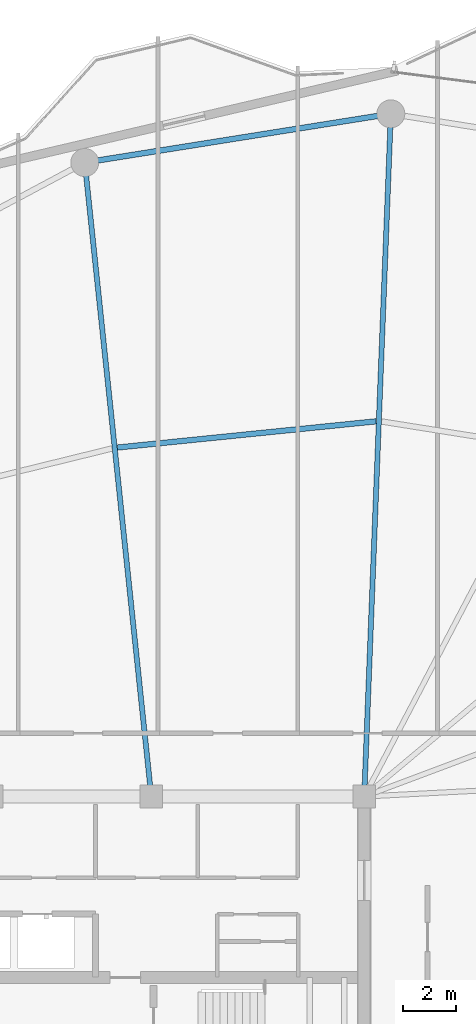
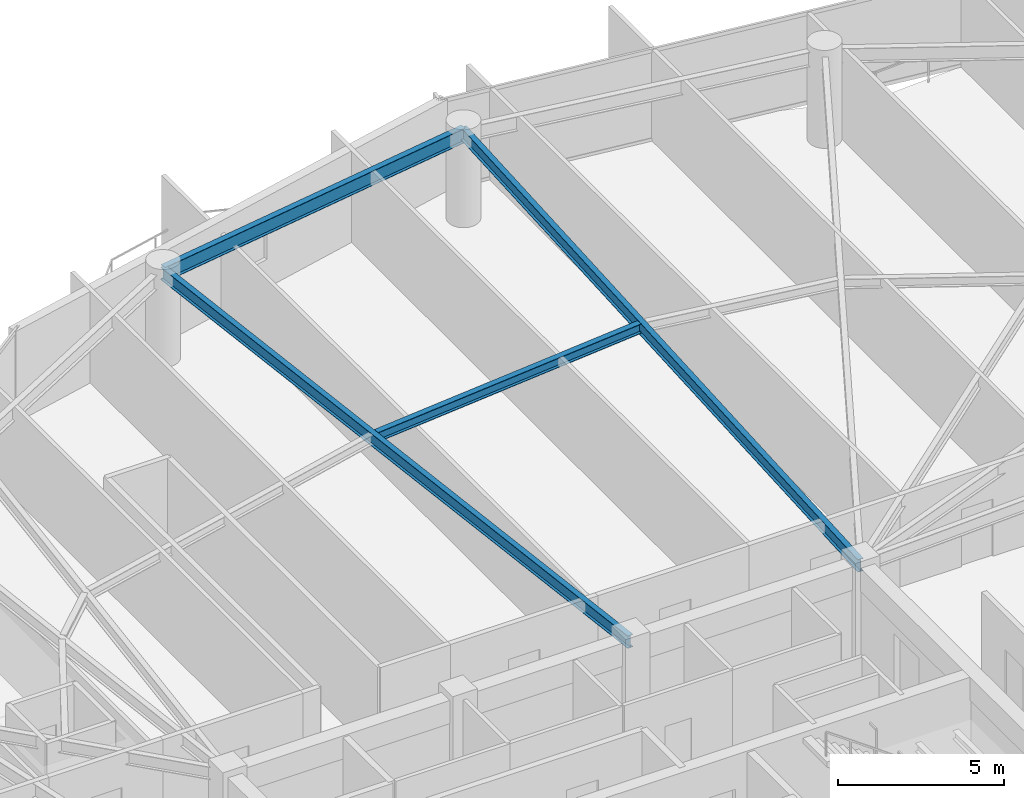
# One storey, part 19 of 31: 4 beams.
"""IFC4 building model written with IfcOpenShell, lengths in metres."""

from ifc_helpers import new_model, si_unit, direction, frame, origin, origin_2d, place, context, subcontext, project, spatial, i_section, extrude, material, material_profile, profile_set, type_object, element, save


model = new_model("IFC4")

# Units and contexts
model_context = context("Model", 3, precision=1e-05, world=origin(), true_north=direction((0.0, 1.0)))
body_context = subcontext(model_context, "Body", "Model", "MODEL_VIEW")
ifc_project = project(units=[si_unit("LENGTHUNIT", "METRE"), si_unit("AREAUNIT", "SQUARE_METRE"), si_unit("VOLUMEUNIT", "CUBIC_METRE"), si_unit("PLANEANGLEUNIT", "RADIAN"), si_unit("MASSUNIT", "GRAM", prefix="KILO")], contexts=[model_context])

# Site, building, storey
site_placement = place(None, origin())
site = spatial("IfcSite", under=ifc_project, at=site_placement, CompositionType="ELEMENT")
building_placement = place(site_placement, origin())
building = spatial("IfcBuilding", under=site, at=building_placement, Name="Kazevale Care Tower and Concert Hall", CompositionType="ELEMENT")
storey_placement = place(building_placement, frame((0.0, 0.0, 202.800048828125)))
storey = spatial("IfcBuildingStorey", under=building, at=storey_placement, Name="L53", CompositionType="ELEMENT", Elevation=202.800048828125)

# Beams
ifc_material = material(Name="Steel ASTM A572 Gr 50", Category="steel")
ifc_material_profile_1 = material_profile(ifc_material, i_section(OverallWidth=0.19091796875, OverallDepth=0.4599609375, WebThickness=0.010009765625, FlangeThickness=0.01611328125, at=origin_2d()), Name="W460x82")
ifc_profile_set_1 = profile_set([ifc_material_profile_1], Name="Steel ASTM A572 Gr 50")
beam_type_1 = type_object("IfcBeamType", Name="Radial Floor Beam W460x82", PredefinedType="BEAM", material=ifc_profile_set_1)
beam_1_placement = place(storey_placement, frame((44.0, 36.39990234375, 3.1298828125), z_axis=(0.03895653799, 0.999240905962, 0.0), x_axis=(-0.999240905962, 0.03895653799, 0.0)))
element("IfcBeam", 1, at=beam_1_placement, inside=storey, type_object=beam_type_1, Name="beam:L53:rad:05", PredefinedType="BEAM", context=body_context, shape_type="SweptSolid", body=[
    extrude(i_section(OverallWidth=0.19091796875, OverallDepth=0.4599609375, WebThickness=0.010009765625, FlangeThickness=0.01611328125, at=origin_2d()), origin(), (0.0, 0.0, 1.0), 25.669677734375),
])
beam_2_placement = place(storey_placement, frame((36.0, 36.39990234375, 3.1298828125), z_axis=(-0.104380207012, 0.994537466556, 0.0), x_axis=(-0.994537466556, -0.104380207012, 0.0)))
element("IfcBeam", 2, at=beam_2_placement, inside=storey, type_object=beam_type_1, Name="beam:L53:rad:06", PredefinedType="BEAM", context=body_context, shape_type="SweptSolid", body=[
    extrude(i_section(OverallWidth=0.19091796875, OverallDepth=0.4599609375, WebThickness=0.010009765625, FlangeThickness=0.01611328125, at=origin_2d()), origin(), (0.0, 0.0, 1.0), 23.950927734375),
])
ifc_material_profile_2 = material_profile(ifc_material, i_section(OverallWidth=0.205078125, OverallDepth=0.35400390625, WebThickness=0.009521484375, FlangeThickness=0.016845703125, at=origin_2d()), Name="W360x79")
ifc_profile_set_2 = profile_set([ifc_material_profile_2], Name="Steel ASTM A572 Gr 50")
beam_type_2 = type_object("IfcBeamType", Name="Secondary Floor Joist W360x79", PredefinedType="JOIST", material=ifc_profile_set_2)
beam_3_placement = place(storey_placement, frame((44.446044921875, 50.4970703125, 3.182861328125), z_axis=(-0.994900388447, -0.10086236696, 0.0), x_axis=(0.10086236696, -0.994900388447, 0.0)))
element("IfcBeam", 3, at=beam_3_placement, inside=storey, type_object=beam_type_2, Name="beam:L53:joist:05", PredefinedType="JOIST", context=body_context, shape_type="SweptSolid", body=[
    extrude(i_section(OverallWidth=0.205078125, OverallDepth=0.35400390625, WebThickness=0.009521484375, FlangeThickness=0.016845703125, at=origin_2d()), origin(), (0.0, 0.0, 1.0), 9.766845703125),
])
ifc_material_profile_3 = material_profile(ifc_material, i_section(OverallWidth=0.208984375, OverallDepth=0.532958984375, WebThickness=0.01025390625, FlangeThickness=0.015625, at=origin_2d()), Name="W530x92")
ifc_profile_set_3 = profile_set([ifc_material_profile_3], Name="Steel ASTM A572 Gr 50")
beam_type_3 = type_object("IfcBeamType", Name="Upper Ring Beam W530x92", PredefinedType="BEAM", material=ifc_profile_set_3)
beam_4_placement = place(storey_placement, frame((45.0, 62.050048828125, 3.093505859375), z_axis=(-0.987573207584, -0.15715966296, 0.0), x_axis=(0.15715966296, -0.987573207584, 0.0)))
element("IfcBeam", 4, at=beam_4_placement, inside=storey, type_object=beam_type_3, Name="beam:L53:ring:05", PredefinedType="BEAM", context=body_context, shape_type="SweptSolid", body=[
    extrude(i_section(OverallWidth=0.208984375, OverallDepth=0.532958984375, WebThickness=0.01025390625, FlangeThickness=0.015625, at=origin_2d()), origin(), (0.0, 0.0, 1.0), 11.644775390625),
])

save(model, "model.ifc")
